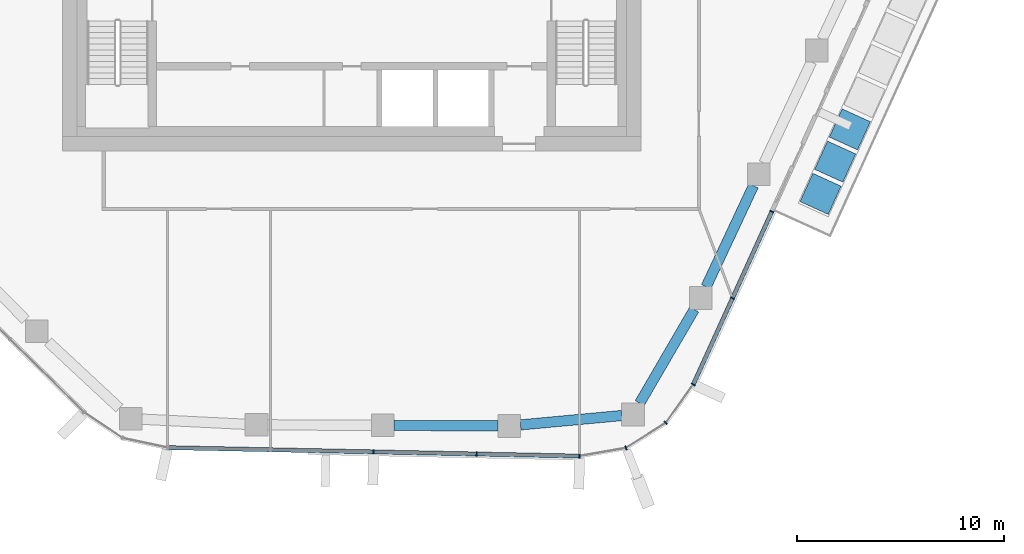
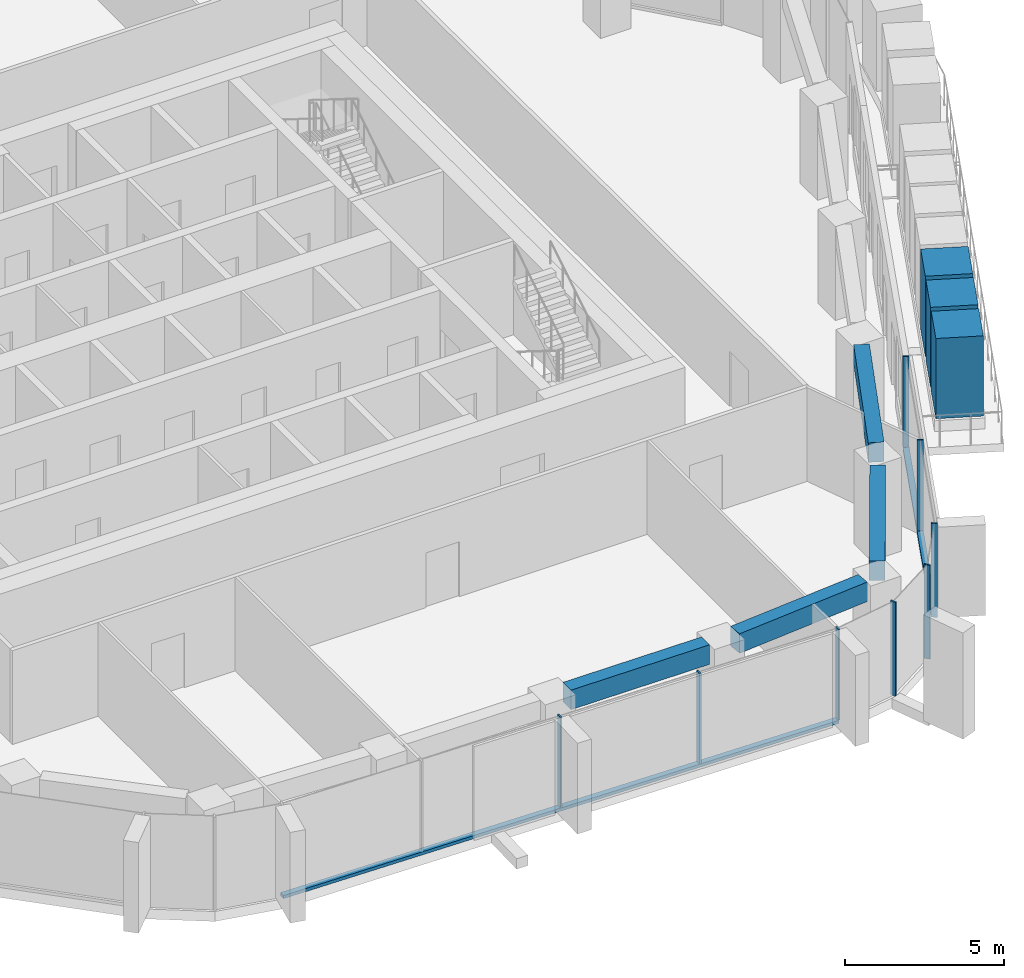
# One storey, part 4 of 21: 13 members, 4 beams, 3 elements without a shape of their own.
"""IFC4 building model written with IfcOpenShell, lengths in metres."""

from ifc_helpers import new_model, si_unit, direction, frame, origin, origin_2d, place, context, subcontext, project, spatial, rectangle, extrude, material, layer, layer_set, material_profile, profile_set, type_object, element, aggregate, save


model = new_model("IFC4")

# Units and contexts
model_context = context("Model", 3, precision=1e-05, world=origin(), true_north=direction((0.0, 1.0)))
body_context = subcontext(model_context, "Body", "Model", "MODEL_VIEW")
ifc_project = project(units=[si_unit("LENGTHUNIT", "METRE"), si_unit("AREAUNIT", "SQUARE_METRE"), si_unit("VOLUMEUNIT", "CUBIC_METRE"), si_unit("PLANEANGLEUNIT", "RADIAN"), si_unit("MASSUNIT", "GRAM", prefix="KILO")], contexts=[model_context])

# Site, building, storey
site_placement = place(None, origin())
site = spatial("IfcSite", under=ifc_project, at=site_placement, CompositionType="ELEMENT")
building_placement = place(site_placement, origin())
building = spatial("IfcBuilding", under=site, at=building_placement, Name="Dongbaek Canopy Tower", CompositionType="ELEMENT")
storey_placement = place(building_placement, frame((0.0, 0.0, 279.0)))
storey = spatial("IfcBuildingStorey", under=building, at=storey_placement, Name="L59", CompositionType="ELEMENT", Elevation=279.0)

# Curtain wall, members
ifc_material_1 = material(Name="Aluminium 6063-T6 pale anodised", Category="aluminium")
ifc_layer = layer(ifc_material_1, 0.199951171875)
ifc_layer_set = layer_set([ifc_layer], Name="CW-1 unitised tower curtain wall")
curtain_wall_type = type_object("IfcCurtainWallType", Name="CW-1 unitised tower curtain wall", PredefinedType="NOTDEFINED", material=ifc_layer_set)
curtain_wall_1_placement = place(storey_placement, origin())
curtain_wall_1 = element("IfcCurtainWall", 1, at=curtain_wall_1_placement, inside=storey, type_object=curtain_wall_type, Name="CW-1 curtain wall F4.1", PredefinedType="NOTDEFINED")
ifc_material_2 = material(Name="Aluminium 6063-T6 pale anodised", Category="aluminium")
ifc_material_profile_1 = material_profile(ifc_material_2, rectangle(XDim=0.199951171875, YDim=0.06005859375, at=origin_2d()), Name="CW-1 mullion 60 x 200")
ifc_profile_set_1 = profile_set([ifc_material_profile_1], Name="Aluminium 6063-T6 pale anodised")
member_type_1 = type_object("IfcMemberType", Name="CW-1 mullion 60 x 200", PredefinedType="MULLION", material=ifc_profile_set_1)
member_1_placement = place(storey_placement, frame((1.053955078125, -25.55517578125, 0.1201171875), z_axis=(0.0, 0.0, 1.0), x_axis=(-0.020537333389, -0.999789086726, 0.0)))
member_1 = element("IfcMember", 2, at=member_1_placement, type_object=member_type_1, Name="CW-1 mullion F4.1.3", PredefinedType="MULLION", context=body_context, shape_type="SweptSolid", body=[
    extrude(rectangle(XDim=0.199951171875, YDim=0.06005859375, at=origin_2d()), origin(), (0.0, 0.0, 1.0), 3.47998046875),
])
member_2_placement = place(storey_placement, frame((6.04150390625, -25.657470703125, 0.1201171875), z_axis=(0.0, 0.0, 1.0), x_axis=(-0.020537333389, -0.999789086726, 0.0)))
member_2 = element("IfcMember", 3, at=member_2_placement, type_object=member_type_1, Name="CW-1 mullion F4.1.4", PredefinedType="MULLION", context=body_context, shape_type="SweptSolid", body=[
    extrude(rectangle(XDim=0.199951171875, YDim=0.06005859375, at=origin_2d()), origin(), (0.0, 0.0, 1.0), 3.47998046875),
])
member_3_placement = place(storey_placement, frame((11.019287109375, -25.759765625, 0.1201171875), z_axis=(0.0, 0.0, 1.0), x_axis=(-0.020537333389, -0.999789086726, 0.0)))
member_3 = element("IfcMember", 4, at=member_3_placement, type_object=member_type_1, Name="CW-1 mullion F4.1.5", PredefinedType="MULLION", context=body_context, shape_type="SweptSolid", body=[
    extrude(rectangle(XDim=0.199951171875, YDim=0.06005859375, at=origin_2d()), origin(), (0.0, 0.0, 1.0), 3.47998046875),
])

curtain_wall_2_placement = place(storey_placement, origin())
curtain_wall_2 = element("IfcCurtainWall", 5, at=curtain_wall_2_placement, inside=storey, type_object=curtain_wall_type, Name="CW-1 curtain wall K5.1", PredefinedType="NOTDEFINED")
member_4_placement = place(storey_placement, frame((13.270263671875, -25.364990234375, 0.0), z_axis=(0.0, 0.0, 1.0), x_axis=(0.359455939031, -0.933162058752, 0.0)))
member_4 = element("IfcMember", 6, at=member_4_placement, type_object=member_type_1, Name="CW-1 mullion K5.1.2", PredefinedType="MULLION", context=body_context, shape_type="SweptSolid", body=[
    extrude(rectangle(XDim=0.199951171875, YDim=0.06005859375, at=origin_2d()), origin(), (0.0, 0.0, 1.0), 3.60009765625),
])
member_5_placement = place(storey_placement, frame((15.19580078125, -24.15283203125, 0.0), z_axis=(0.0, 0.0, 1.0), x_axis=(0.685949928989, -0.727648744189, 0.0)))
member_5 = element("IfcMember", 7, at=member_5_placement, type_object=member_type_1, Name="CW-1 mullion K5.1.3", PredefinedType="MULLION", context=body_context, shape_type="SweptSolid", body=[
    extrude(rectangle(XDim=0.199951171875, YDim=0.06005859375, at=origin_2d()), origin(), (0.0, 0.0, 1.0), 3.60009765625),
])
member_6_placement = place(storey_placement, frame((16.525146484375, -22.2939453125, 0.0), z_axis=(0.0, 0.0, 1.0), x_axis=(0.813427232651, -0.581666689077, 0.0)))
member_6 = element("IfcMember", 8, at=member_6_placement, type_object=member_type_1, Name="CW-1 mullion K5.1.4", PredefinedType="MULLION", context=body_context, shape_type="SweptSolid", body=[
    extrude(rectangle(XDim=0.199951171875, YDim=0.06005859375, at=origin_2d()), origin(), (0.0, 0.0, 1.0), 3.60009765625),
])
aggregate(curtain_wall_2, [member_4, member_5, member_6])

curtain_wall_3_placement = place(storey_placement, origin())
curtain_wall_3 = element("IfcCurtainWall", 9, at=curtain_wall_3_placement, inside=storey, type_object=curtain_wall_type, Name="CW-1 curtain wall F5.1", PredefinedType="NOTDEFINED")
member_7_placement = place(storey_placement, frame((18.42431640625, -18.116455078125, 0.1201171875), z_axis=(0.0, 0.0, 1.0), x_axis=(0.91035121433, -0.413836521549, 0.0)))
member_7 = element("IfcMember", 10, at=member_7_placement, type_object=member_type_1, Name="CW-1 mullion F5.1.2", PredefinedType="MULLION", context=body_context, shape_type="SweptSolid", body=[
    extrude(rectangle(XDim=0.199951171875, YDim=0.06005859375, at=origin_2d()), origin(), (0.0, 0.0, 1.0), 3.47998046875),
])
member_8_placement = place(storey_placement, frame((20.327392578125, -13.929931640625, 0.1201171875), z_axis=(0.0, 0.0, 1.0), x_axis=(0.91035121433, -0.413836521549, 0.0)))
member_8 = element("IfcMember", 11, at=member_8_placement, type_object=member_type_1, Name="CW-1 mullion F5.1.3", PredefinedType="MULLION", context=body_context, shape_type="SweptSolid", body=[
    extrude(rectangle(XDim=0.199951171875, YDim=0.06005859375, at=origin_2d()), origin(), (0.0, 0.0, 1.0), 3.47998046875),
])

# Member
ifc_material_3 = material(Name="Aluminium 6063-T6 pale anodised", Category="aluminium")
ifc_material_profile_2 = material_profile(ifc_material_3, rectangle(XDim=0.199951171875, YDim=0.1201171875, at=origin_2d()), Name="CW-1 transom 120 x 200")
ifc_profile_set_2 = profile_set([ifc_material_profile_2], Name="Aluminium 6063-T6 pale anodised")
member_type_2 = type_object("IfcMemberType", Name="CW-1 transom 120 x 200", PredefinedType="USERDEFINED", material=ifc_profile_set_2)
member_9_placement = place(storey_placement, frame((-8.91162109375, -25.350341796875, 0.06005859375), z_axis=(0.999789076663, -0.02053782331, 0.0), x_axis=(0.02053782331, 0.999789076663, 0.0)))
member_9 = element("IfcMember", 12, at=member_9_placement, type_object=member_type_2, Name="CW-1 transom F4.1.1", ObjectType="TRANSOM", PredefinedType="USERDEFINED", context=body_context, shape_type="SweptSolid", body=[
    extrude(rectangle(XDim=0.199951171875, YDim=0.1201171875, at=origin_2d()), origin(), (0.0, 0.0, 1.0), 19.93505859375),
])

aggregate(curtain_wall_1, [member_1, member_2, member_3, member_9])

member_10_placement = place(storey_placement, frame((16.525146484375, -22.2939453125, 0.06005859375), z_axis=(0.413840982735, 0.910349186306, 0.0), x_axis=(-0.910349186306, 0.413840982735, 0.0)))
member_10 = element("IfcMember", 13, at=member_10_placement, type_object=member_type_2, Name="CW-1 transom F5.1.1", ObjectType="TRANSOM", PredefinedType="USERDEFINED", context=body_context, shape_type="SweptSolid", body=[
    extrude(rectangle(XDim=0.199951171875, YDim=0.1201171875, at=origin_2d()), origin(), (0.0, 0.0, 1.0), 9.187744140625),
])

aggregate(curtain_wall_3, [member_7, member_8, member_10])

# Beams
ifc_material_4 = material(Name="Concrete C70", Category="concrete")
ifc_material_profile_3 = material_profile(ifc_material_4, rectangle(XDim=0.5, YDim=0.75, at=origin_2d()), Name="RC EDGE BEAM 500x750 C70")
ifc_profile_set_3 = profile_set([ifc_material_profile_3], Name="Concrete C70")
beam_type = type_object("IfcBeamType", Name="RC EDGE BEAM 500x750 C70", PredefinedType="BEAM", material=ifc_profile_set_3)
beam_1_placement = place(storey_placement, frame((13.06201171875, -23.796875, 3.22509765625), z_axis=(-0.995758214652, -0.092008575434, 0.0), x_axis=(0.092008575434, -0.995758214652, 0.0)))
element("IfcBeam", 14, at=beam_1_placement, inside=storey, type_object=beam_type, Name="EDGEBEAM:L59:00", PredefinedType="BEAM", context=body_context, shape_type="SweptSolid", body=[
    extrude(rectangle(XDim=0.5, YDim=0.75, at=origin_2d()), origin(), (0.0, 0.0, 1.0), 4.916748046875),
])
beam_2_placement = place(storey_placement, frame((7.06591796875, -24.297607421875, 3.22509765625), z_axis=(-0.999989301171, 0.004625747851, 0.0), x_axis=(-0.004625747851, -0.999989301171, 0.0)))
element("IfcBeam", 15, at=beam_2_placement, inside=storey, type_object=beam_type, Name="EDGEBEAM:L59:01", PredefinedType="BEAM", context=body_context, shape_type="SweptSolid", body=[
    extrude(rectangle(XDim=0.5, YDim=0.75, at=origin_2d()), origin(), (0.0, 0.0, 1.0), 5.013916015625),
])
beam_3_placement = place(storey_placement, frame((19.437255859375, -12.677001953125, 3.22509765625), z_axis=(-0.424249579949, -0.905545301966, 0.0), x_axis=(0.905545301966, -0.424249579949, 0.0)))
element("IfcBeam", 16, at=beam_3_placement, inside=storey, type_object=beam_type, Name="EDGEBEAM:L59:24", PredefinedType="BEAM", context=body_context, shape_type="SweptSolid", body=[
    extrude(rectangle(XDim=0.5, YDim=0.75, at=origin_2d()), origin(), (0.0, 0.0, 1.0), 5.396728515625),
])
beam_4_placement = place(storey_placement, frame((16.56982421875, -18.6640625, 3.22509765625), z_axis=(-0.503022590015, -0.864273263462, 0.0), x_axis=(0.864273263462, -0.503022590015, 0.0)))
element("IfcBeam", 17, at=beam_4_placement, inside=storey, type_object=beam_type, Name="EDGEBEAM:L59:25", PredefinedType="BEAM", context=body_context, shape_type="SweptSolid", body=[
    extrude(rectangle(XDim=0.5, YDim=0.75, at=origin_2d()), origin(), (0.0, 0.0, 1.0), 5.24365234375),
])

# Members
ifc_material_5 = material(Name="Concrete C40/50 planter mass with planting", Category="concrete")
ifc_material_profile_4 = material_profile(ifc_material_5, rectangle(XDim=1.5, YDim=1.5, at=origin_2d()), Name="Terrace PLANTER shrub mass 1500 x 1500")
ifc_profile_set_4 = profile_set([ifc_material_profile_4], Name="Concrete C40/50 planter mass with planting")
member_type_3 = type_object("IfcMemberType", Name="Terrace PLANTER shrub mass 1500 x 1500", PredefinedType="USERDEFINED", material=ifc_profile_set_4)
for number, where, z_axis, x_axis, name in (
    (18, (22.68408203125, -13.0712890625, 0.419921875), (0.0, 0.0, 1.0), (0.91035121433, -0.413836521549, 0.0), "Planter shrubs L59 2.1"),
    (19, (23.393310546875, -11.51123046875, 0.419921875), (0.0, 0.0, 1.0), (0.91035121433, -0.413836521549, 0.0), "Planter shrubs L59 2.2"),
    (20, (24.102294921875, -9.951171875, 0.419921875), (0.0, 0.0, 1.0), (0.91035121433, -0.413836521549, 0.0), "Planter shrubs L59 2.3"),
):
    element("IfcMember", number, at=place(storey_placement, frame(where, z_axis=z_axis, x_axis=x_axis)), inside=storey, type_object=member_type_3, Name=name, ObjectType="PLANTER", PredefinedType="USERDEFINED", context=body_context, shape_type="SweptSolid", body=[
        extrude(rectangle(XDim=1.5, YDim=1.5, at=origin_2d()), origin(), (0.0, 0.0, 1.0), 3.080078125),
    ])

save(model, "model.ifc")
